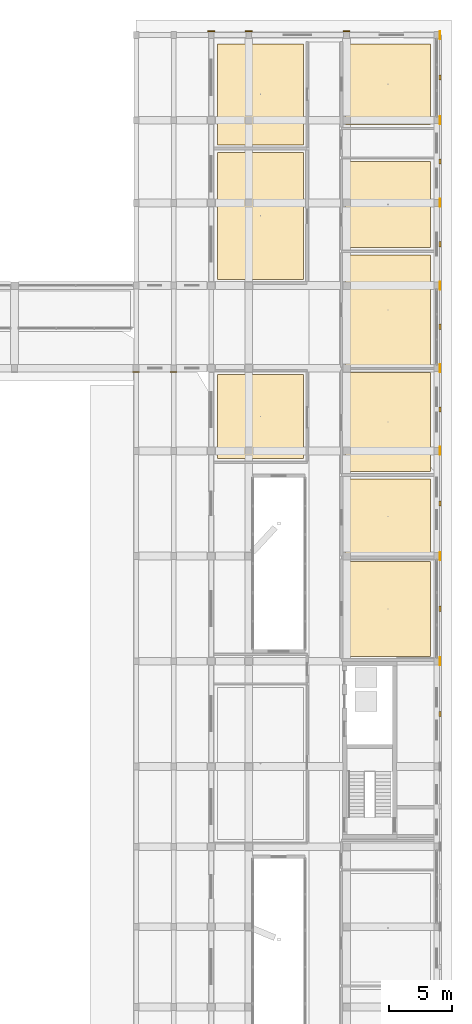
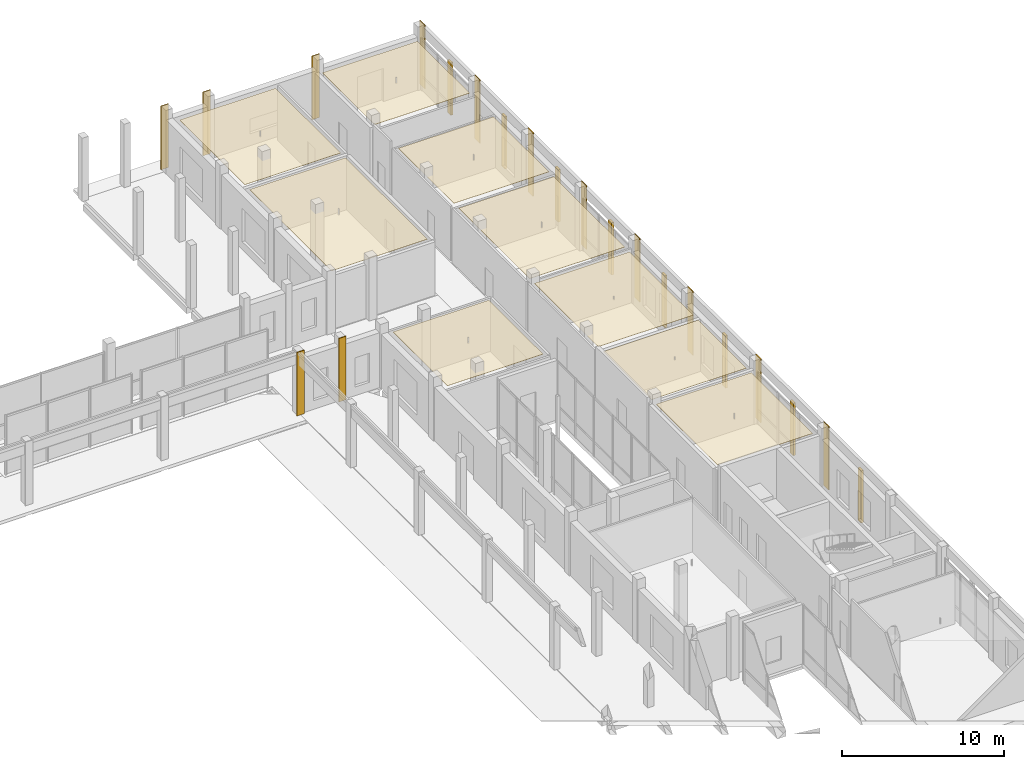
# One storey, part 87 of 88: 30 coverings.
"""IFC4 building model written with IfcOpenShell, lengths in metres."""

from ifc_helpers import new_model, si_unit, derived_unit, direction, frame, origin, origin_2d, place, context, subcontext, project, spatial, polyline, rectangle, outline, extrude, material, layer, layer_set, type_object, element, save


model = new_model("IFC4")

# Units and contexts
model_context = context("Model", 3, precision=1e-05, world=origin(), true_north=direction((0.0, 1.0)))
body_context = subcontext(model_context, "Body", "Model", "MODEL_VIEW")
ifc_project = project(units=[si_unit("LENGTHUNIT", "METRE"), si_unit("AREAUNIT", "SQUARE_METRE"), si_unit("VOLUMEUNIT", "CUBIC_METRE"), si_unit("PLANEANGLEUNIT", "RADIAN"), si_unit("MASSUNIT", "GRAM", prefix="KILO"), derived_unit("THERMALTRANSMITTANCEUNIT", [(si_unit("POWERUNIT", "WATT"), 1), (si_unit("LENGTHUNIT", "METRE"), -2), (si_unit("THERMODYNAMICTEMPERATUREUNIT", "KELVIN"), -1)])], contexts=[model_context])

# Site, building, storey
site_placement = place(None, origin())
site = spatial("IfcSite", under=ifc_project, at=site_placement, CompositionType="ELEMENT")
building_placement = place(site_placement, origin())
building = spatial("IfcBuilding", under=site, at=building_placement, Name="Braskholm Square Health Centre", CompositionType="ELEMENT")
storey_placement = place(building_placement, origin())
storey = spatial("IfcBuildingStorey", under=building, at=storey_placement, Name="L01", CompositionType="ELEMENT", Elevation=0.0)

# Coverings
ifc_material_1 = material(Name="Fire-rated gypsum board barrier")
ifc_layer_1 = layer(ifc_material_1, 0.02490234375)
ifc_layer_set_1 = layer_set([ifc_layer_1], Name="Fire-rated gypsum board barrier")
covering_type_1 = type_object("IfcCoveringType", Name="AcousticClinicalCeilingTile", PredefinedType="CEILING", material=ifc_layer_set_1)
covering_1_placement = place(storey_placement, frame((0.0, 0.0, 4.0849609375)))
element("IfcCovering", 1, at=covering_1_placement, inside=storey, type_object=covering_type_1, Name="Acoustic ceiling L01-171", PredefinedType="CEILING", context=body_context, shape_type="SweptSolid", body=[
    extrude(outline(polyline([(156.5, 64.199951171875), (163.294921875, 64.199951171875), (163.294921875, 71.780029296875), (156.5, 71.780029296875), (156.5, 64.199951171875)])), origin(), (0.0, 0.0, 1.0), 0.025146484375),
])
covering_2_placement = place(storey_placement, frame((0.0, 0.0, 4.06494140625)))
element("IfcCovering", 2, at=covering_2_placement, inside=storey, type_object=covering_type_1, Name="Acoustic ceiling L01-172", PredefinedType="CEILING", context=body_context, shape_type="SweptSolid", body=[
    extrude(outline(polyline([(156.5, 72.3798828125), (163.294921875, 72.3798828125), (163.294921875, 78.3701171875), (156.5, 78.3701171875), (156.5, 72.3798828125)])), origin(), (0.0, 0.0, 1.0), 0.025146484375),
])
covering_3_placement = place(storey_placement, frame((0.0, 0.0, 4.06494140625)))
element("IfcCovering", 3, at=covering_3_placement, inside=storey, type_object=covering_type_1, Name="Acoustic ceiling L01-173", PredefinedType="CEILING", context=body_context, shape_type="SweptSolid", body=[
    extrude(outline(polyline([(156.5, 78.969970703125), (163.294921875, 78.969970703125), (163.294921875, 86.860107421875), (156.5, 86.860107421875), (156.5, 78.969970703125)])), origin(), (0.0, 0.0, 1.0), 0.025146484375),
])
covering_4_placement = place(storey_placement, frame((0.0, 0.0, 4.06494140625)))
element("IfcCovering", 4, at=covering_4_placement, inside=storey, type_object=covering_type_1, Name="Acoustic ceiling L01-174", PredefinedType="CEILING", context=body_context, shape_type="SweptSolid", body=[
    extrude(outline(polyline([(156.5, 87.4599609375), (163.294921875, 87.4599609375), (163.294921875, 96.22998046875), (156.5, 96.22998046875), (156.5, 87.4599609375)])), origin(), (0.0, 0.0, 1.0), 0.025146484375),
])
covering_5_placement = place(storey_placement, frame((0.0, 0.0, 4.06494140625)))
element("IfcCovering", 5, at=covering_5_placement, inside=storey, type_object=covering_type_1, Name="Acoustic ceiling L01-175", PredefinedType="CEILING", context=body_context, shape_type="SweptSolid", body=[
    extrude(outline(polyline([(156.5, 96.830078125), (163.294921875, 96.830078125), (163.294921875, 103.68994140625), (156.5, 103.68994140625), (156.5, 96.830078125)])), origin(), (0.0, 0.0, 1.0), 0.025146484375),
])
covering_6_placement = place(storey_placement, frame((0.0, 0.0, 4.06494140625)))
element("IfcCovering", 6, at=covering_6_placement, inside=storey, type_object=covering_type_1, Name="Acoustic ceiling L01-177", PredefinedType="CEILING", context=body_context, shape_type="SweptSolid", body=[
    extrude(outline(polyline([(156.5, 106.639892578125), (163.294921875, 106.639892578125), (163.294921875, 113.10009765625), (156.5, 113.10009765625), (156.5, 106.639892578125)])), origin(), (0.0, 0.0, 1.0), 0.025146484375),
])
covering_7_placement = place(storey_placement, frame((0.0, 0.0, 4.06494140625)))
element("IfcCovering", 7, at=covering_7_placement, inside=storey, type_object=covering_type_1, Name="Acoustic ceiling L01-184", PredefinedType="CEILING", context=body_context, shape_type="SweptSolid", body=[
    extrude(outline(polyline([(146.304931640625, 79.97998046875), (153.14990234375, 79.97998046875), (153.14990234375, 86.699951171875), (146.304931640625, 86.699951171875), (146.304931640625, 79.97998046875)])), origin(), (0.0, 0.0, 1.0), 0.025146484375),
])
covering_8_placement = place(storey_placement, frame((0.0, 0.0, 4.06494140625)))
element("IfcCovering", 8, at=covering_8_placement, inside=storey, type_object=covering_type_1, Name="Acoustic ceiling L01-185", PredefinedType="CEILING", context=body_context, shape_type="SweptSolid", body=[
    extrude(outline(polyline([(146.304931640625, 94.300048828125), (153.14990234375, 94.300048828125), (153.14990234375, 104.43994140625), (146.304931640625, 104.43994140625), (146.304931640625, 94.300048828125)])), origin(), (0.0, 0.0, 1.0), 0.025146484375),
])
covering_9_placement = place(storey_placement, frame((0.0, 0.0, 4.06494140625)))
element("IfcCovering", 9, at=covering_9_placement, inside=storey, type_object=covering_type_1, Name="Acoustic ceiling L01-186", PredefinedType="CEILING", context=body_context, shape_type="SweptSolid", body=[
    extrude(outline(polyline([(146.304931640625, 105.0400390625), (153.14990234375, 105.0400390625), (153.14990234375, 113.10009765625), (146.304931640625, 113.10009765625), (146.304931640625, 105.0400390625)])), origin(), (0.0, 0.0, 1.0), 0.025146484375),
])
ifc_material_2 = material(Name="Mankato-Kasota dolomitic limestone ashlar", Category="masonry")
ifc_layer_2 = layer(ifc_material_2, 0.090087890625)
ifc_layer_set_2 = layer_set([ifc_layer_2], Name="Mankato-Kasota dolomitic limestone ashlar")
covering_type_2 = type_object("IfcCoveringType", Name="KasotaAshlarBaseCladding", PredefinedType="CLADDING", material=ifc_layer_set_2)
for number, where, z_axis, x_axis, name in (
    (10, (164.070068359375, 59.60009765625, 0.0), (0.0, 0.0, 1.0), (1.0, 0.0, 0.0), "Fluted Kasota limestone base pilaster 0672"),
    (11, (164.070068359375, 68.0, 0.0), (0.0, 0.0, 1.0), (1.0, 0.0, 0.0), "Fluted Kasota limestone base pilaster 0673"),
    (12, (164.070068359375, 76.39990234375, 0.0), (0.0, 0.0, 1.0), (1.0, 0.0, 0.0), "Fluted Kasota limestone base pilaster 0674"),
    (13, (164.070068359375, 83.89990234375, 0.0), (0.0, 0.0, 1.0), (1.0, 0.0, 0.0), "Fluted Kasota limestone base pilaster 0675"),
    (14, (164.070068359375, 90.5, 0.0), (0.0, 0.0, 1.0), (1.0, 0.0, 0.0), "Fluted Kasota limestone base pilaster 0676"),
    (15, (164.070068359375, 97.10009765625, 0.0), (0.0, 0.0, 1.0), (1.0, 0.0, 0.0), "Fluted Kasota limestone base pilaster 0677"),
    (16, (164.070068359375, 103.699951171875, 0.0), (0.0, 0.0, 1.0), (1.0, 0.0, 0.0), "Fluted Kasota limestone base pilaster 0678"),
    (17, (164.070068359375, 110.39990234375, 0.0), (0.0, 0.0, 1.0), (1.0, 0.0, 0.0), "Fluted Kasota limestone base pilaster 0679"),
):
    element("IfcCovering", number, at=place(storey_placement, frame(where, z_axis=z_axis, x_axis=x_axis)), inside=storey, type_object=covering_type_2, Name=name, PredefinedType="CLADDING", context=body_context, shape_type="SweptSolid", body=[
        extrude(rectangle(XDim=0.159912109375, YDim=0.419921875, at=origin_2d()), origin(), (0.0, 0.0, 1.0), 3.949951171875),
    ])
ifc_material_3 = material(Name="Precast concrete C40/50 architectural white", Category="concrete")
ifc_layer_3 = layer(ifc_material_3, 0.054931640625)
ifc_layer_set_3 = layer_set([ifc_layer_3], Name="Precast concrete C40/50 architectural white")
covering_type_3 = type_object("IfcCoveringType", Name="PrecastWhiteColumnCasing", PredefinedType="CLADDING", material=ifc_layer_set_3)
covering_10_placement = place(storey_placement, frame((139.800048828125, 86.89501953125, 0.0), z_axis=(0.0, 0.0, 1.0), x_axis=(1.0, 0.0, 0.0)))
element("IfcCovering", 18, at=covering_10_placement, inside=storey, type_object=covering_type_3, Name="Giant-order white precast column casing 0218", PredefinedType="CLADDING", context=body_context, shape_type="SweptSolid", body=[
    extrude(rectangle(XDim=0.5400390625, YDim=0.06005859375, at=origin_2d()), origin(), (0.0, 0.0, 1.0), 4.800048828125),
])
covering_11_placement = place(storey_placement, frame((142.800048828125, 86.905029296875, 0.0), z_axis=(0.0, 0.0, 1.0), x_axis=(1.0, 0.0, 0.0)))
element("IfcCovering", 19, at=covering_11_placement, inside=storey, type_object=covering_type_3, Name="Giant-order white precast column casing 0219", PredefinedType="CLADDING", context=body_context, shape_type="SweptSolid", body=[
    extrude(rectangle(XDim=0.52001953125, YDim=0.06005859375, at=origin_2d()), origin(), (0.0, 0.0, 1.0), 4.800048828125),
])
for number, where, z_axis, x_axis, name in (
    (20, (145.800048828125, 114.10498046875, 0.0), (0.0, 0.0, 1.0), (1.0, 0.0, 0.0), "Giant-order white precast column casing 0222"),
    (21, (148.800048828125, 114.10498046875, 0.0), (0.0, 0.0, 1.0), (1.0, 0.0, 0.0), "Giant-order white precast column casing 0229"),
    (22, (156.60009765625, 114.10498046875, 0.0), (0.0, 0.0, 1.0), (1.0, 0.0, 0.0), "Giant-order white precast column casing 0239"),
):
    element("IfcCovering", number, at=place(storey_placement, frame(where, z_axis=z_axis, x_axis=x_axis)), inside=storey, type_object=covering_type_3, Name=name, PredefinedType="CLADDING", context=body_context, shape_type="SweptSolid", body=[
        extrude(rectangle(XDim=0.5400390625, YDim=0.06005859375, at=origin_2d()), origin(), (0.0, 0.0, 1.0), 4.800048828125),
    ])
for number, where, z_axis, x_axis, name in (
    (23, (164.054931640625, 63.800048828125, 0.0), (0.0, 0.0, 1.0), (1.0, 0.0, 0.0), "Giant-order white precast column casing 0316"),
    (24, (164.054931640625, 72.199951171875, 0.0), (0.0, 0.0, 1.0), (1.0, 0.0, 0.0), "Giant-order white precast column casing 0324"),
    (25, (164.054931640625, 80.60009765625, 0.0), (0.0, 0.0, 1.0), (1.0, 0.0, 0.0), "Giant-order white precast column casing 0332"),
    (26, (164.054931640625, 87.199951171875, 0.0), (0.0, 0.0, 1.0), (1.0, 0.0, 0.0), "Giant-order white precast column casing 0340"),
    (27, (164.054931640625, 93.800048828125, 0.0), (0.0, 0.0, 1.0), (1.0, 0.0, 0.0), "Giant-order white precast column casing 0348"),
    (28, (164.054931640625, 100.39990234375, 0.0), (0.0, 0.0, 1.0), (1.0, 0.0, 0.0), "Giant-order white precast column casing 0356"),
    (29, (164.054931640625, 107.0, 0.0), (0.0, 0.0, 1.0), (1.0, 0.0, 0.0), "Giant-order white precast column casing 0364"),
    (30, (164.054931640625, 113.800048828125, 0.0), (0.0, 0.0, 1.0), (1.0, 0.0, 0.0), "Giant-order white precast column casing 0372"),
):
    element("IfcCovering", number, at=place(storey_placement, frame(where, z_axis=z_axis, x_axis=x_axis)), inside=storey, type_object=covering_type_3, Name=name, PredefinedType="CLADDING", context=body_context, shape_type="SweptSolid", body=[
        extrude(rectangle(XDim=0.06005859375, YDim=0.639892578125, at=origin_2d()), origin(), (0.0, 0.0, 1.0), 4.800048828125),
    ])

save(model, "model.ifc")
